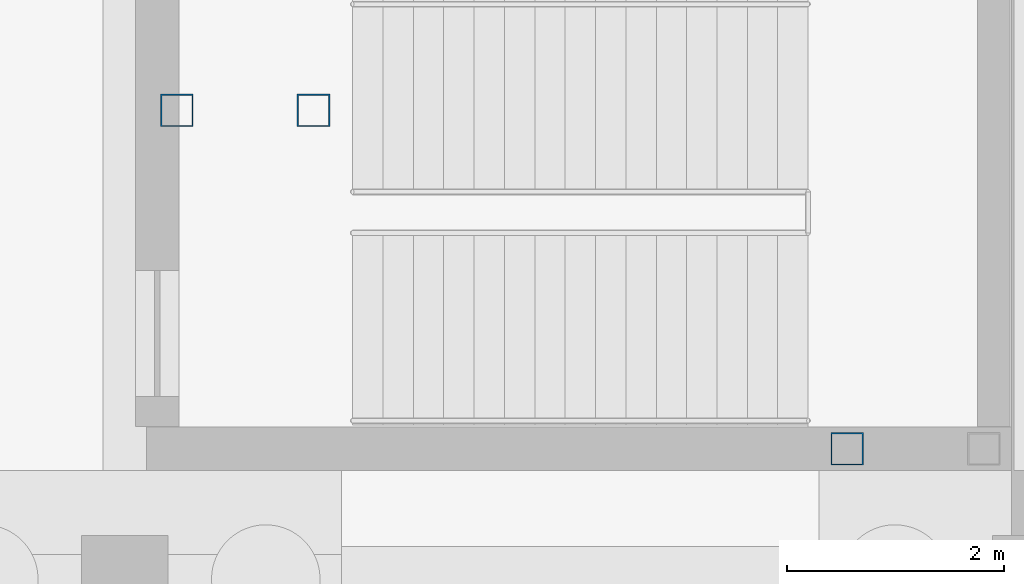
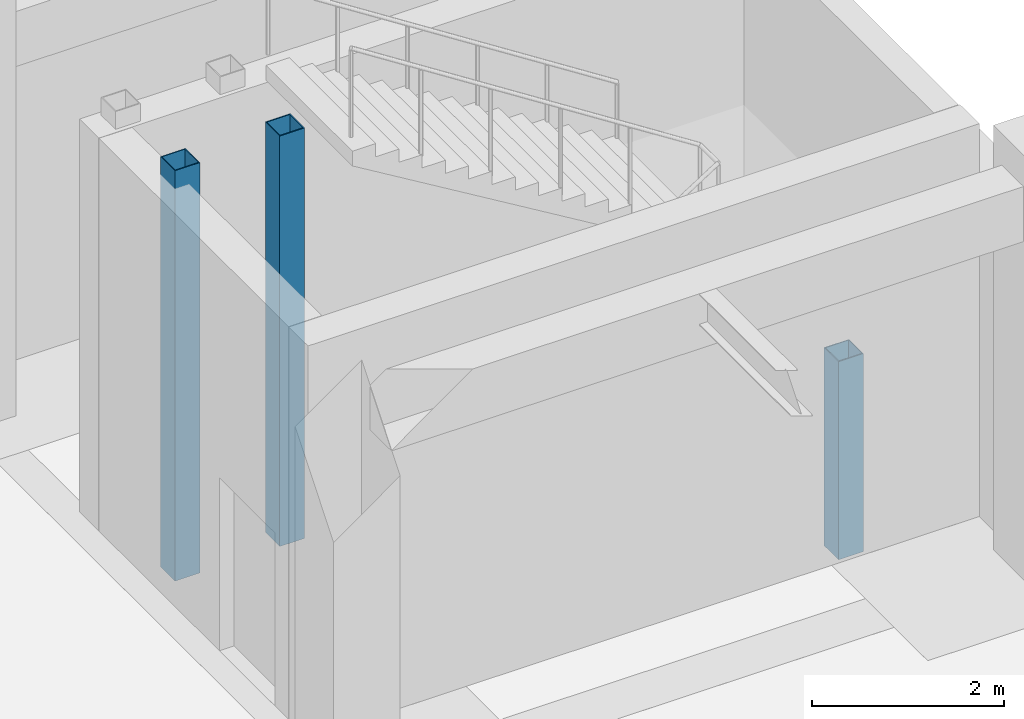
# One storey, part 18 of 56: 3 columns.
"""IFC4 building model written with IfcOpenShell, lengths in metres."""

from ifc_helpers import new_model, si_unit, direction, frame, origin, origin_2d, place, context, subcontext, project, spatial, hollow_rectangle, extrude, material, material_profile, profile_set, type_object, element, save


model = new_model("IFC4")

# Units and contexts
model_context = context("Model", 3, precision=1e-05, world=origin(), true_north=direction((0.0, 1.0)))
body_context = subcontext(model_context, "Body", "Model", "MODEL_VIEW")
ifc_project = project(units=[si_unit("LENGTHUNIT", "METRE"), si_unit("AREAUNIT", "SQUARE_METRE"), si_unit("VOLUMEUNIT", "CUBIC_METRE"), si_unit("PLANEANGLEUNIT", "RADIAN"), si_unit("MASSUNIT", "GRAM", prefix="KILO")], contexts=[model_context])

# Site, building, storey
site_placement = place(None, origin())
site = spatial("IfcSite", under=ifc_project, at=site_placement, CompositionType="ELEMENT")
building_placement = place(site_placement, origin())
building = spatial("IfcBuilding", under=site, at=building_placement, Name="Naruveol Harbour Congress Hotel", CompositionType="ELEMENT")
storey_placement = place(building_placement, frame((0.0, 0.0, -5.39990234375)))
storey = spatial("IfcBuildingStorey", under=building, at=storey_placement, Name="B01", CompositionType="ELEMENT", Elevation=-5.39990234375)

# Columns
ifc_material = material(Name="Steel SN490", Category="steel")
ifc_material_profile = material_profile(ifc_material, hollow_rectangle(XDim=0.300048828125, YDim=0.300048828125, WallThickness=0.011962890625, at=origin_2d()), Name="SHS-300x300x12")
ifc_profile_set = profile_set([ifc_material_profile], Name="Steel SN490")
column_type = type_object("IfcColumnType", Name="STEEL COLONNADE POST SHS300", PredefinedType="COLUMN", material=ifc_profile_set)
for number, where, z_axis, x_axis, name in (
    (1, (118.080078125, 60.320068359375, 0.0), (0.0, 0.0, 1.0), (1.0, 0.0, 0.0), "Stair landing support post ST9W #425"),
    (2, (119.340087890625, 60.320068359375, 0.0), (0.0, 0.0, 1.0), (1.0, 0.0, 0.0), "Stair landing support post ST9W #433"),
):
    element("IfcColumn", number, at=place(storey_placement, frame(where, z_axis=z_axis, x_axis=x_axis)), inside=storey, type_object=column_type, Name=name, PredefinedType="COLUMN", context=body_context, shape_type="SweptSolid", body=[
        extrude(hollow_rectangle(XDim=0.300048828125, YDim=0.300048828125, WallThickness=0.011962890625, at=origin_2d()), origin(), (0.0, 0.0, 1.0), 5.219970703125),
    ])
column_placement = place(storey_placement, frame((124.260009765625, 57.199951171875, 0.0), z_axis=(0.0, 0.0, 1.0), x_axis=(1.0, 0.0, 0.0)))
element("IfcColumn", 3, at=column_placement, inside=storey, type_object=column_type, Name="Stair landing support post ST9E #441", PredefinedType="COLUMN", context=body_context, shape_type="SweptSolid", body=[
    extrude(hollow_rectangle(XDim=0.300048828125, YDim=0.300048828125, WallThickness=0.011962890625, at=origin_2d()), origin(), (0.0, 0.0, 1.0), 2.52001953125),
])

save(model, "model.ifc")
